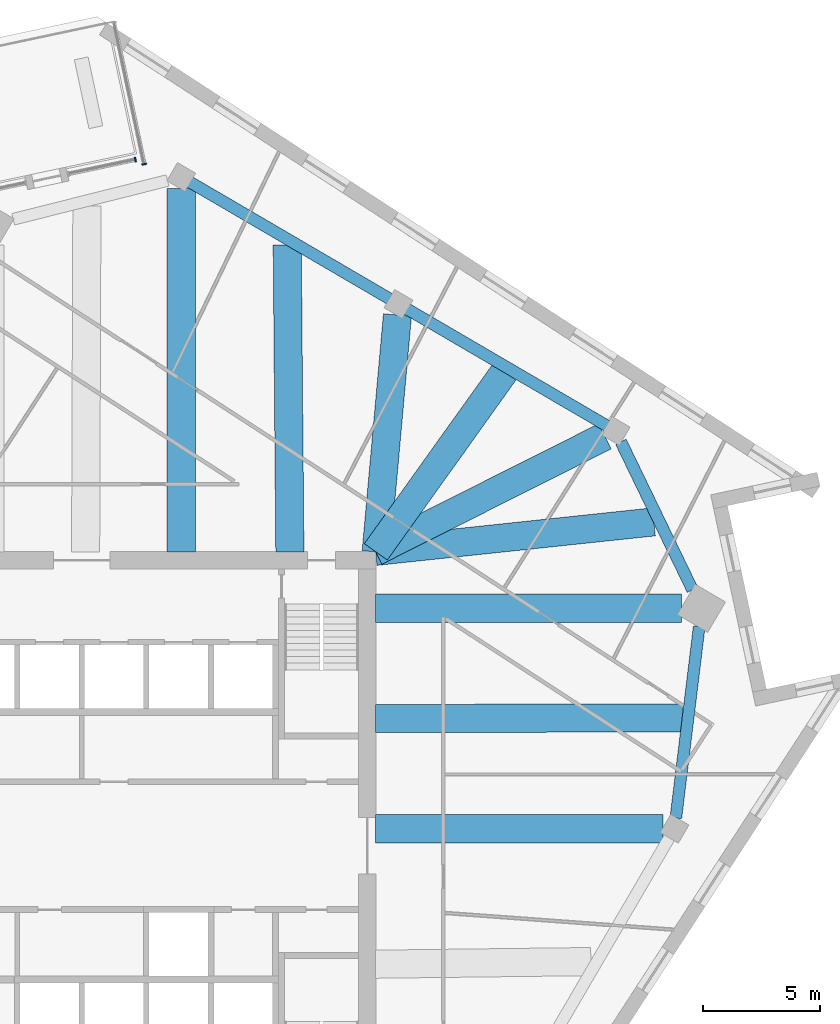
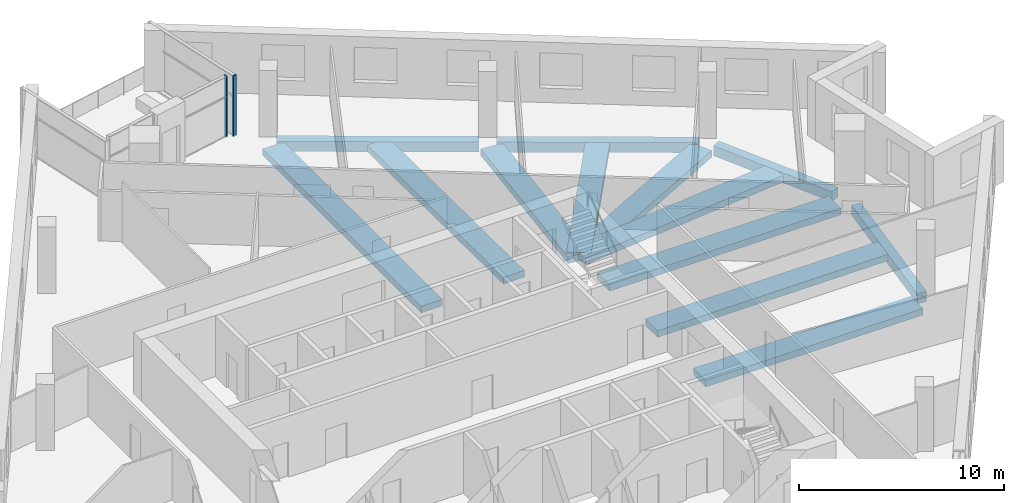
# One storey, part 3 of 12: 13 beams, 2 members, 2 elements without a shape of their own.
"""IFC4 building model written with IfcOpenShell, lengths in metres."""

from ifc_helpers import new_model, si_unit, direction, frame, origin, origin_2d, place, context, subcontext, project, spatial, rectangle, extrude, material, material_profile, profile_set, type_object, element, aggregate, save


model = new_model("IFC4")

# Units and contexts
model_context = context("Model", 3, precision=1e-05, world=origin(), true_north=direction((0.0, 1.0)))
body_context = subcontext(model_context, "Body", "Model", "MODEL_VIEW")
ifc_project = project(units=[si_unit("LENGTHUNIT", "METRE"), si_unit("AREAUNIT", "SQUARE_METRE"), si_unit("VOLUMEUNIT", "CUBIC_METRE"), si_unit("PLANEANGLEUNIT", "RADIAN"), si_unit("MASSUNIT", "GRAM", prefix="KILO")], contexts=[model_context])

# Site, building, storey
site_placement = place(None, origin())
site = spatial("IfcSite", under=ifc_project, at=site_placement, CompositionType="ELEMENT")
building_placement = place(site_placement, origin())
building = spatial("IfcBuilding", under=site, at=building_placement, Name="Dilmun Exchange Tower", CompositionType="ELEMENT")
storey_placement = place(building_placement, frame((0.0, 0.0, 258.89990234375)))
storey = spatial("IfcBuildingStorey", under=building, at=storey_placement, Name="L61", CompositionType="ELEMENT", Elevation=258.89990234375)

# Curtain wall, member
ifc_material_1 = material(Name="Anodised aluminium and clear glass", Category="aluminium")
curtain_wall_type = type_object("IfcCurtainWallType", Name="Garden corner glazing", PredefinedType="NOTDEFINED", material=ifc_material_1)
curtain_wall_1_placement = place(storey_placement, origin())
curtain_wall_1 = element("IfcCurtainWall", 1, at=curtain_wall_1_placement, inside=storey, type_object=curtain_wall_type, Name="Garden corner glazing run GC1.1", PredefinedType="NOTDEFINED")
ifc_material_2 = material(Name="Anodised aluminium", Category="aluminium")
ifc_material_profile_1 = material_profile(ifc_material_2, rectangle(XDim=0.199951171875, YDim=0.06005859375, at=origin_2d()), Name="AL 60x200")
ifc_profile_set_1 = profile_set([ifc_material_profile_1], Name="Anodised aluminium")
member_type = type_object("IfcMemberType", Name="Garden corner glazing mullion 60 x 200", PredefinedType="MULLION", material=ifc_profile_set_1)
member_1_placement = place(storey_placement, frame((2.661376953125, 29.054443359375, 0.0), z_axis=(0.0, 0.0, 1.0), x_axis=(0.978147579121, 0.207911792498, 0.0)))
member_1 = element("IfcMember", 2, at=member_1_placement, type_object=member_type, Name="GC1.1 mullion 2", PredefinedType="MULLION", context=body_context, shape_type="SweptSolid", body=[
    extrude(rectangle(XDim=0.199951171875, YDim=0.06005859375, at=origin_2d()), origin(), (0.0, 0.0, 1.0), 3.64013671875),
])
aggregate(curtain_wall_1, [member_1])

curtain_wall_2_placement = place(storey_placement, origin())
curtain_wall_2 = element("IfcCurtainWall", 3, at=curtain_wall_2_placement, inside=storey, type_object=curtain_wall_type, Name="Garden corner glazing run GC2.1", PredefinedType="NOTDEFINED")
member_2_placement = place(storey_placement, frame((2.282470703125, 29.249755859375, 0.0), z_axis=(0.0, 0.0, 1.0), x_axis=(0.207888364437, -0.978152558618, 0.0)))
member_2 = element("IfcMember", 4, at=member_2_placement, type_object=member_type, Name="GC2.1 mullion 1", PredefinedType="MULLION", context=body_context, shape_type="SweptSolid", body=[
    extrude(rectangle(XDim=0.199951171875, YDim=0.06005859375, at=origin_2d()), origin(), (0.0, 0.0, 1.0), 3.64013671875),
])
aggregate(curtain_wall_2, [member_2])

# Beams
ifc_material_3 = material(Name="Concrete C40/50", Category="concrete")
ifc_material_profile_2 = material_profile(ifc_material_3, rectangle(XDim=1.199951171875, YDim=0.39990234375, at=origin_2d()), Name="1200 x 400")
ifc_profile_set_2 = profile_set([ifc_material_profile_2], Name="Concrete C40/50")
beam_type_1 = type_object("IfcBeamType", Name="RC band beam 1200 x 400 C40/50", PredefinedType="BEAM", material=ifc_profile_set_2)
beam_1_placement = place(storey_placement, frame((24.773681640625, 0.721923828125, -0.659912109375), z_axis=(-1.0, 0.0, 0.0), x_axis=(0.0, -1.0, 0.0)))
element("IfcBeam", 5, at=beam_1_placement, inside=storey, type_object=beam_type_1, Name="Band beam 12", PredefinedType="BEAM", context=body_context, shape_type="SweptSolid", body=[
    extrude(rectangle(XDim=1.199951171875, YDim=0.39990234375, at=origin_2d()), origin(), (0.0, 0.0, 1.0), 12.250732421875),
])
beam_2_placement = place(storey_placement, frame((25.5732421875, 10.1220703125, -0.659912109375), z_axis=(-1.0, 0.0, 0.0), x_axis=(0.0, -1.0, 0.0)))
element("IfcBeam", 6, at=beam_2_placement, inside=storey, type_object=beam_type_1, Name="Band beam 13", PredefinedType="BEAM", context=body_context, shape_type="SweptSolid", body=[
    extrude(rectangle(XDim=1.199951171875, YDim=0.39990234375, at=origin_2d()), origin(), (0.0, 0.0, 1.0), 13.05029296875),
])
beam_3_placement = place(storey_placement, frame((22.302734375, 17.453125, -0.659912109375), z_axis=(-0.893443377394, -0.449175835716, 0.0), x_axis=(0.449175835716, -0.893443377394, 0.0)))
element("IfcBeam", 7, at=beam_3_placement, inside=storey, type_object=beam_type_1, Name="Band beam 14", PredefinedType="BEAM", context=body_context, shape_type="SweptSolid", body=[
    extrude(rectangle(XDim=1.199951171875, YDim=0.39990234375, at=origin_2d()), origin(), (0.0, 0.0, 1.0), 10.94287109375),
])
beam_4_placement = place(storey_placement, frame((13.456787109375, 22.625732421875, -0.659912109375), z_axis=(-0.089632924375, -0.995974868593, 0.0), x_axis=(0.995974868593, -0.089632924375, 0.0)))
element("IfcBeam", 8, at=beam_4_placement, inside=storey, type_object=beam_type_1, Name="Band beam 15", PredefinedType="BEAM", context=body_context, shape_type="SweptSolid", body=[
    extrude(rectangle(XDim=1.199951171875, YDim=0.39990234375, at=origin_2d()), origin(), (0.0, 0.0, 1.0), 10.143310546875),
])
beam_5_placement = place(storey_placement, frame((4.239990234375, 28.01171875, -0.659912109375), z_axis=(0.0, -1.0, 0.0), x_axis=(1.0, 0.0, 0.0)))
element("IfcBeam", 9, at=beam_5_placement, inside=storey, type_object=beam_type_1, Name="Band beam 16", PredefinedType="BEAM", context=body_context, shape_type="SweptSolid", body=[
    extrude(rectangle(XDim=1.199951171875, YDim=0.39990234375, at=origin_2d()), origin(), (0.0, 0.0, 1.0), 15.48876953125),
])
beam_6_placement = place(storey_placement, frame((25.6201171875, 5.448974609375, -0.559814453125), z_axis=(-0.999997897774, -0.002050474756, 0.0), x_axis=(0.002050474756, -0.999997897774, 0.0)))
element("IfcBeam", 10, at=beam_6_placement, inside=storey, type_object=beam_type_1, Name="Band beam 28", PredefinedType="BEAM", context=body_context, shape_type="SweptSolid", body=[
    extrude(rectangle(XDim=1.199951171875, YDim=0.39990234375, at=origin_2d()), origin(), (0.0, 0.0, 1.0), 13.09716796875),
])
beam_7_placement = place(storey_placement, frame((24.3857421875, 13.804931640625, -0.559814453125), z_axis=(-0.994425543871, -0.105441157505, 0.0), x_axis=(0.105441157505, -0.994425543871, 0.0)))
element("IfcBeam", 11, at=beam_7_placement, inside=storey, type_object=beam_type_1, Name="Band beam 29", PredefinedType="BEAM", context=body_context, shape_type="SweptSolid", body=[
    extrude(rectangle(XDim=1.199951171875, YDim=0.39990234375, at=origin_2d()), origin(), (0.0, 0.0, 1.0), 11.928955078125),
])
beam_8_placement = place(storey_placement, frame((18.01611328125, 20.195556640625, -0.559814453125), z_axis=(-0.581600762294, -0.81347437163, 0.0), x_axis=(0.81347437163, -0.581600762294, 0.0)))
element("IfcBeam", 12, at=beam_8_placement, inside=storey, type_object=beam_type_1, Name="Band beam 30", PredefinedType="BEAM", context=body_context, shape_type="SweptSolid", body=[
    extrude(rectangle(XDim=1.199951171875, YDim=0.39990234375, at=origin_2d()), origin(), (0.0, 0.0, 1.0), 9.425537109375),
])
beam_9_placement = place(storey_placement, frame((8.757080078125, 25.607421875, -0.559814453125), z_axis=(0.008582734208, -0.999963167658, 0.0), x_axis=(0.999963167658, 0.008582734208, 0.0)))
element("IfcBeam", 13, at=beam_9_placement, inside=storey, type_object=beam_type_1, Name="Band beam 31", PredefinedType="BEAM", context=body_context, shape_type="SweptSolid", body=[
    extrude(rectangle(XDim=1.199951171875, YDim=0.39990234375, at=origin_2d()), origin(), (0.0, 0.0, 1.0), 13.0849609375),
])
ifc_material_profile_3 = material_profile(ifc_material_3, rectangle(XDim=0.5, YDim=0.60009765625, at=origin_2d()), Name="500 x 600")
ifc_profile_set_3 = profile_set([ifc_material_profile_3], Name="Concrete C40/50")
beam_type_2 = type_object("IfcBeamType", Name="RC ring beam 500 x 600 C40/50", PredefinedType="SPANDREL", material=ifc_profile_set_3)
beam_10_placement = place(storey_placement, frame((25.32421875, 1.181640625, -0.659912109375), z_axis=(0.121108645076, 0.992639257781, 0.0), x_axis=(-0.992639257781, 0.121108645076, 0.0)))
element("IfcBeam", 14, at=beam_10_placement, inside=storey, type_object=beam_type_2, Name="Ring beam 12", PredefinedType="SPANDREL", context=body_context, shape_type="SweptSolid", body=[
    extrude(rectangle(XDim=0.5, YDim=0.60009765625, at=origin_2d()), origin(), (0.0, 0.0, 1.0), 8.216796875),
])
beam_11_placement = place(storey_placement, frame((26.033447265625, 10.910888671875, -0.659912109375), z_axis=(-0.435439794363, 0.900217854458, 0.0), x_axis=(-0.900217854458, -0.435439794363, 0.0)))
element("IfcBeam", 15, at=beam_11_placement, inside=storey, type_object=beam_type_2, Name="Ring beam 13", PredefinedType="SPANDREL", context=body_context, shape_type="SweptSolid", body=[
    extrude(rectangle(XDim=0.5, YDim=0.60009765625, at=origin_2d()), origin(), (0.0, 0.0, 1.0), 7.0068359375),
])
beam_12_placement = place(storey_placement, frame((22.392822265625, 17.8955078125, -0.659912109375), z_axis=(-0.863333071594, 0.504634528637, 0.0), x_axis=(-0.504634528637, -0.863333071594, 0.0)))
element("IfcBeam", 16, at=beam_12_placement, inside=storey, type_object=beam_type_2, Name="Ring beam 14", PredefinedType="SPANDREL", context=body_context, shape_type="SweptSolid", body=[
    extrude(rectangle(XDim=0.5, YDim=0.60009765625, at=origin_2d()), origin(), (0.0, 0.0, 1.0), 9.878662109375),
])
beam_13_placement = place(storey_placement, frame((13.1337890625, 23.3076171875, -0.659912109375), z_axis=(-0.863343838609, 0.504616107884, 0.0), x_axis=(-0.504616107884, -0.863343838609, 0.0)))
element("IfcBeam", 17, at=beam_13_placement, inside=storey, type_object=beam_type_2, Name="Ring beam 15", PredefinedType="SPANDREL", context=body_context, shape_type="SweptSolid", body=[
    extrude(rectangle(XDim=0.5, YDim=0.60009765625, at=origin_2d()), origin(), (0.0, 0.0, 1.0), 9.87841796875),
])

save(model, "model.ifc")
